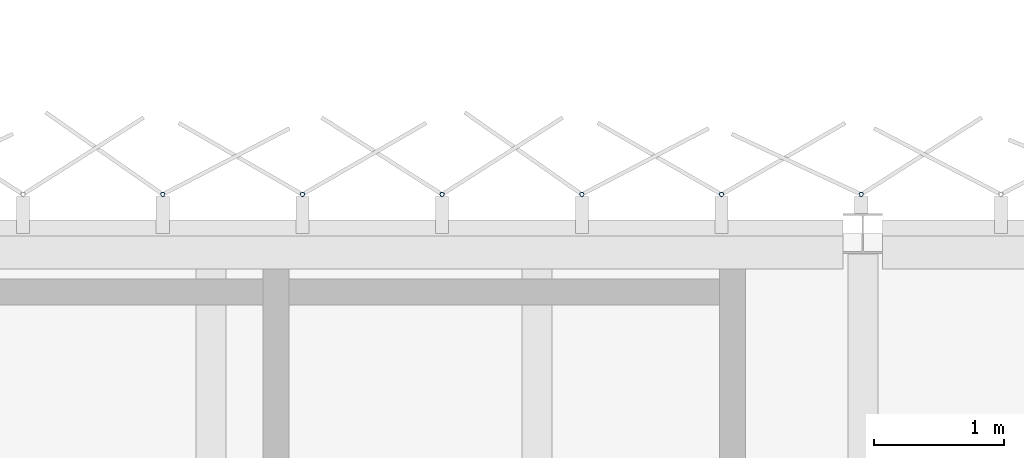
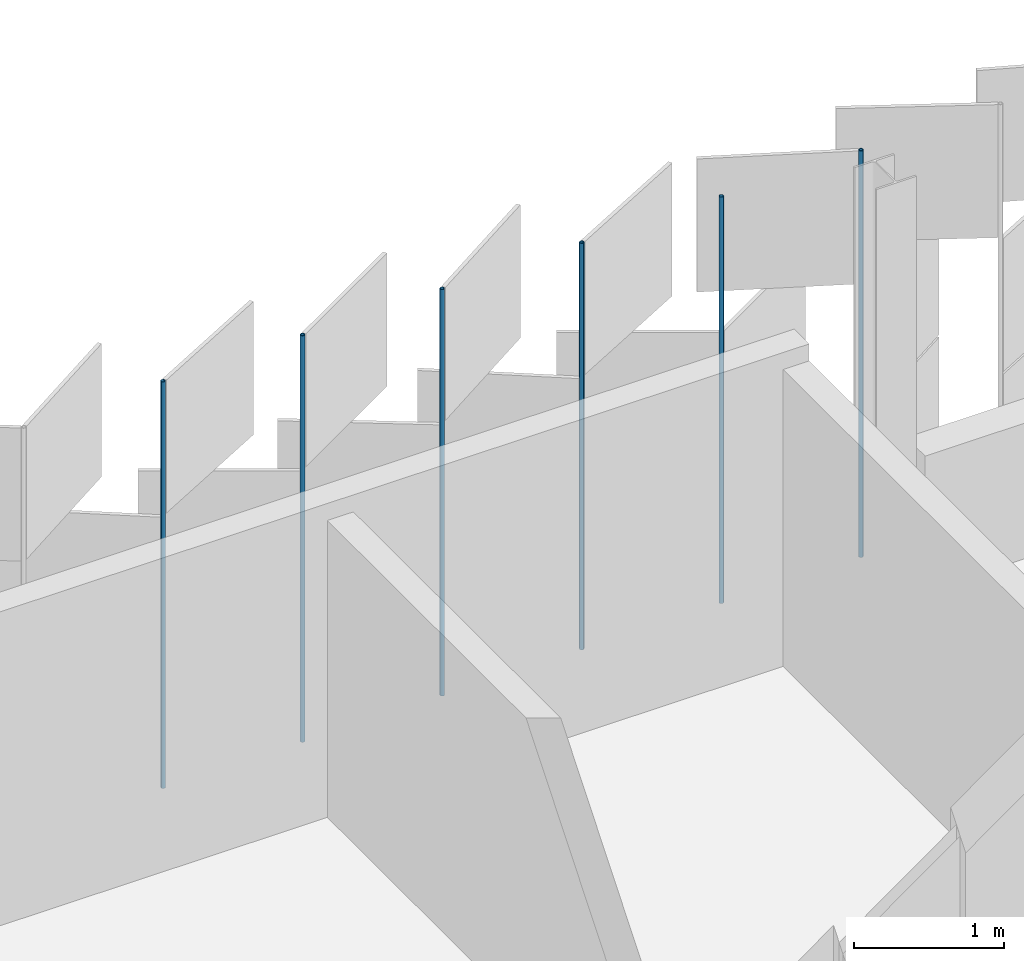
# One storey, part 137 of 198: 6 discrete accessories.
"""IFC4 building model written with IfcOpenShell, lengths in metres."""

import ifcopenshell
import ifcopenshell.guid

model = None  # the IFC model being written
_history = None  # IfcOwnerHistory: only IFC2X3 demands one
_inside = {}  # id of a spatial element -> (the spatial element, [elements in it])
_under = {}  # id of a project, library or spatial element -> (it, [spatial elements below it])
_declared = {}  # id of a project -> (the project, [libraries it declares])
_typed = {}  # id of a type object -> (the type object, [elements of that type])
_made_of = {}  # id of a material, layer set ... -> (it, [elements and type objects made of it])


def new_model(schema):
    """Start an empty IFC model of exactly this schema.

    Asked for "IFC4X3", IfcOpenShell would pick the latest addendum, in which some entities
    have other attributes; the version numbers below select the first issue.
    IFC2X3 requires an IfcOwnerHistory on every rooted entity: one is made here for all.
    """
    global model, _history
    if schema == "IFC4X3":
        model = ifcopenshell.file(schema_version=(4, 3, 0, 0))
    else:
        model = ifcopenshell.file(schema=schema)
    _inside.clear()
    _under.clear()
    _declared.clear()
    _typed.clear()
    _made_of.clear()
    _history = None
    if model.schema == "IFC2X3":
        org = make("IfcOrganization", Name="unknown")
        user = make(
            "IfcPersonAndOrganization",
            ThePerson=make("IfcPerson", FamilyName="unknown"),
            TheOrganization=org,
        )
        app = make(
            "IfcApplication",
            ApplicationDeveloper=org,
            Version="unknown",
            ApplicationFullName="unknown",
            ApplicationIdentifier="unknown",
        )
        _history = make(
            "IfcOwnerHistory",
            OwningUser=user,
            OwningApplication=app,
            ChangeAction="ADDED",
            CreationDate=0,
        )
    return model


def make(cls, **values):
    """One entity of the class cls with the attributes given. An attribute that is None is left unset."""
    return model.create_entity(
        cls, **{name: value for name, value in values.items() if value is not None}
    )


def rooted(cls, **values):
    """An entity with a GlobalId (a new one), such as an element, a storey or a relation."""
    return make(cls, GlobalId=ifcopenshell.guid.new(), OwnerHistory=_history, **values)


def si_unit(unit_type, name, prefix=None):
    """IfcSIUnit, for example si_unit("LENGTHUNIT", "METRE", prefix="MILLI")."""
    return make("IfcSIUnit", UnitType=unit_type, Prefix=prefix, Name=name)


def assignment(units):
    """IfcUnitAssignment: the units of a project."""
    return None if units is None else make("IfcUnitAssignment", Units=units)


def point(xyz):
    """IfcCartesianPoint."""
    return None if xyz is None else make("IfcCartesianPoint", Coordinates=xyz)


def direction(xyz):
    """IfcDirection."""
    return None if xyz is None else make("IfcDirection", DirectionRatios=xyz)


def frame(location, z_axis=None, x_axis=None):
    """IfcAxis2Placement3D, a coordinate frame: its origin and axes. An axis left out is left unset."""
    return make(
        "IfcAxis2Placement3D",
        Location=point(location),
        Axis=direction(z_axis),
        RefDirection=direction(x_axis),
    )


def frame_2d(location, x_axis=None):
    """IfcAxis2Placement2D, a coordinate frame in the plane: its origin and x axis."""
    return make(
        "IfcAxis2Placement2D", Location=point(location), RefDirection=direction(x_axis)
    )


def origin():
    """The frame at (0, 0, 0) with its axes left unset."""
    return frame((0.0, 0.0, 0.0))


def origin_2d():
    """The frame at (0, 0) in the plane with its x axis left unset."""
    return frame_2d((0.0, 0.0))


def place(relative_to, where):
    """IfcLocalPlacement: puts the frame where relative to a parent placement (None: the world)."""
    return make(
        "IfcLocalPlacement", PlacementRelTo=relative_to, RelativePlacement=where
    )


def context(
    kind, dimensions, precision=None, world=None, true_north=None, identifier=None
):
    """IfcGeometricRepresentationContext, for example the 3D "Model" context."""
    return make(
        "IfcGeometricRepresentationContext",
        ContextIdentifier=identifier,
        ContextType=kind,
        CoordinateSpaceDimension=dimensions,
        Precision=precision,
        WorldCoordinateSystem=world,
        TrueNorth=true_north,
    )


def subcontext(parent, identifier, kind, view, scale=None):
    """IfcGeometricRepresentationSubContext, for example "Body" below "Model"."""
    return make(
        "IfcGeometricRepresentationSubContext",
        ContextIdentifier=identifier,
        ContextType=kind,
        ParentContext=parent,
        TargetScale=scale,
        TargetView=view,
    )


def project(units=None, contexts=None):
    """IfcProject with its units and contexts."""
    return rooted(
        "IfcProject",
        Name="project",
        RepresentationContexts=contexts,
        UnitsInContext=assignment(units),
    )


def spatial(cls, under=None, at=None, **own):
    """A site, building, storey or space (cls), placed at a placement, below another one or the project."""
    s = rooted(cls, ObjectPlacement=at, **own)
    if under is not None:
        _under.setdefault(under.id(), (under, []))[1].append(s)
    return s


def profile(cls, at=None, kind="AREA", **sizes):
    """A parametric profile (cls). Its sizes go by their IFC names, for example OverallWidth=200.0."""
    return make(cls, ProfileType=kind, Position=at, **sizes)


def hollow_circle(**sizes):
    """IfcCircleHollowProfileDef."""
    return profile("IfcCircleHollowProfileDef", **sizes)


def extrude(swept, where, along, depth):
    """IfcExtrudedAreaSolid: the profile swept, set in the frame where, extruded along a direction by depth."""
    return make(
        "IfcExtrudedAreaSolid",
        SweptArea=swept,
        Position=where,
        ExtrudedDirection=direction(along),
        Depth=depth,
    )


def shape(context_of_items, identifier, shape_type, items):
    """IfcShapeRepresentation: the items that make up one representation, for example the "Body"."""
    return make(
        "IfcShapeRepresentation",
        ContextOfItems=context_of_items,
        RepresentationIdentifier=identifier,
        RepresentationType=shape_type,
        Items=items,
    )


def material(Name=None, Category=None):
    """IfcMaterial."""
    return make("IfcMaterial", Name=Name, Category=Category)


def material_profile(
    of_material, cross_section, Name=None, Category=None, Priority=None
):
    """IfcMaterialProfile: a cross section and its material."""
    return make(
        "IfcMaterialProfile",
        Name=Name,
        Material=of_material,
        Profile=cross_section,
        Priority=Priority,
        Category=Category,
    )


def profile_set(profiles, Name=None, composite=None):
    """IfcMaterialProfileSet."""
    return make(
        "IfcMaterialProfileSet",
        Name=Name,
        MaterialProfiles=profiles,
        CompositeProfile=composite,
    )


def made_of(thing, what):
    """Note that an element or type object is made of a material, layer set ...; save() writes the relation."""
    if what is not None:
        _made_of.setdefault(what.id(), (what, []))[1].append(thing)
    return thing


def type_object(cls, material=None, **own):
    """A type object (cls), such as IfcWallType, which elements share."""
    return made_of(rooted(cls, **own), material)


def element(
    cls,
    number,
    at=None,
    inside=None,
    cuts=None,
    type_object=None,
    material=None,
    context=None,
    identifier="Body",
    shape_type=None,
    held_by="IfcProductDefinitionShape",
    body=None,
    shapes=None,
    **own,
):
    """One element of the class cls, such as IfcWall. Its Tag is "e" and its number.

    at: its placement. inside: the storey or other place that contains it. cuts: it is an
    opening in that element (IfcRelVoidsElement). A single representation is given by context,
    identifier, shape_type and body (its items); several are given by shapes. held_by: the class
    of the entity that holds the representations. save() writes the other relations.
    """
    e = rooted(cls, Tag="e%d" % number, ObjectPlacement=at, **own)
    if body is not None:
        shapes = [shape(context, identifier, shape_type, body)]
    if shapes is not None:
        e.Representation = make(held_by, Representations=shapes)
    if inside is not None:
        _inside.setdefault(inside.id(), (inside, []))[1].append(e)
    if cuts is not None:
        rooted(
            "IfcRelVoidsElement", RelatingBuildingElement=cuts, RelatedOpeningElement=e
        )
    if type_object is not None:
        _typed.setdefault(type_object.id(), (type_object, []))[1].append(e)
    return made_of(e, material)


def aggregate(whole, parts):
    """IfcRelAggregates: a whole, such as a stair, and the parts it consists of."""
    return rooted("IfcRelAggregates", RelatingObject=whole, RelatedObjects=parts)


def save(model, path):
    """Write the relations noted so far, then the file.

    IfcRelAggregates (storeys below a building ...), IfcRelContainedInSpatialStructure (elements
    in a storey), IfcRelDefinesByType, IfcRelAssociatesMaterial and IfcRelDeclares: one each for
    every whole, place, type object, material and project.
    """
    for whole, parts in _under.values():
        aggregate(whole, parts)
    for where, things in _inside.values():
        rooted(
            "IfcRelContainedInSpatialStructure",
            RelatedElements=things,
            RelatingStructure=where,
        )
    for kind, things in _typed.values():
        rooted("IfcRelDefinesByType", RelatedObjects=things, RelatingType=kind)
    for what, things in _made_of.values():
        rooted("IfcRelAssociatesMaterial", RelatedObjects=things, RelatingMaterial=what)
    for by, libraries in _declared.values():
        rooted("IfcRelDeclares", RelatingContext=by, RelatedDefinitions=libraries)
    model.write(path)


model = new_model("IFC4")

# Units and contexts
model_context = context("Model", 3, precision=1e-05, world=origin(), true_north=direction((0.0, 1.0)))
body_context = subcontext(model_context, "Body", "Model", "MODEL_VIEW")
ifc_project = project(units=[si_unit("LENGTHUNIT", "METRE"), si_unit("AREAUNIT", "SQUARE_METRE"), si_unit("VOLUMEUNIT", "CUBIC_METRE"), si_unit("PLANEANGLEUNIT", "RADIAN"), si_unit("MASSUNIT", "GRAM", prefix="KILO")], contexts=[model_context])

# Site, building, storey
site_placement = place(None, origin())
site = spatial("IfcSite", under=ifc_project, at=site_placement, CompositionType="ELEMENT")
building_placement = place(site_placement, origin())
building = spatial("IfcBuilding", under=site, at=building_placement, Name="Parallax Yard Mobility Hub", CompositionType="ELEMENT")
storey_placement = place(building_placement, frame((0.0, 0.0, 6.60009765625)))
storey = spatial("IfcBuildingStorey", under=building, at=storey_placement, Name="L02", CompositionType="ELEMENT", Elevation=6.60009765625)

# Discrete accessories
ifc_material = material(Name="Steel ASTM A500 Gr C, hot-dip galvanised", Category="steel")
ifc_material_profile = material_profile(ifc_material, hollow_circle(Radius=0.016845703125, WallThickness=0.003173828125, at=origin_2d()), Name="CHS 33.7x3.2")
ifc_profile_set = profile_set([ifc_material_profile], Name="Steel ASTM A500 Gr C, hot-dip galvanised")
discrete_accessory_type = type_object("IfcDiscreteAccessoryType", Name="Hinge post CHS 33.7x3.2", PredefinedType="BRACKET", material=ifc_profile_set)
for number, where, z_axis, x_axis, name in (
    (1, (52.48779296875, 142.800048828125, 0.0), (0.0, 0.0, 1.0), (1.0, 0.0, 0.0), "Hinge post bay 67.1 level L02"),
    (2, (51.416015625, 142.800048828125, 0.0), (0.0, 0.0, 1.0), (1.0, 0.0, 0.0), "Hinge post bay 67.2 level L02"),
    (3, (50.344482421875, 142.800048828125, 0.0), (0.0, 0.0, 1.0), (1.0, 0.0, 0.0), "Hinge post bay 67.3 level L02"),
    (4, (49.27294921875, 142.800048828125, 0.0), (0.0, 0.0, 1.0), (1.0, 0.0, 0.0), "Hinge post bay 67.4 level L02"),
    (5, (48.201416015625, 142.800048828125, 0.0), (0.0, 0.0, 1.0), (1.0, 0.0, 0.0), "Hinge post bay 67.5 level L02"),
    (6, (47.1298828125, 142.800048828125, 0.0), (0.0, 0.0, 1.0), (1.0, 0.0, 0.0), "Hinge post bay 67.6 level L02"),
):
    element("IfcDiscreteAccessory", number, at=place(storey_placement, frame(where, z_axis=z_axis, x_axis=x_axis)), inside=storey, type_object=discrete_accessory_type, Name=name, PredefinedType="BRACKET", context=body_context, shape_type="SweptSolid", body=[
        extrude(hollow_circle(Radius=0.016845703125, WallThickness=0.003173828125, at=origin_2d()), origin(), (0.0, 0.0, 1.0), 3.2998046875),
    ])

save(model, "model.ifc")
